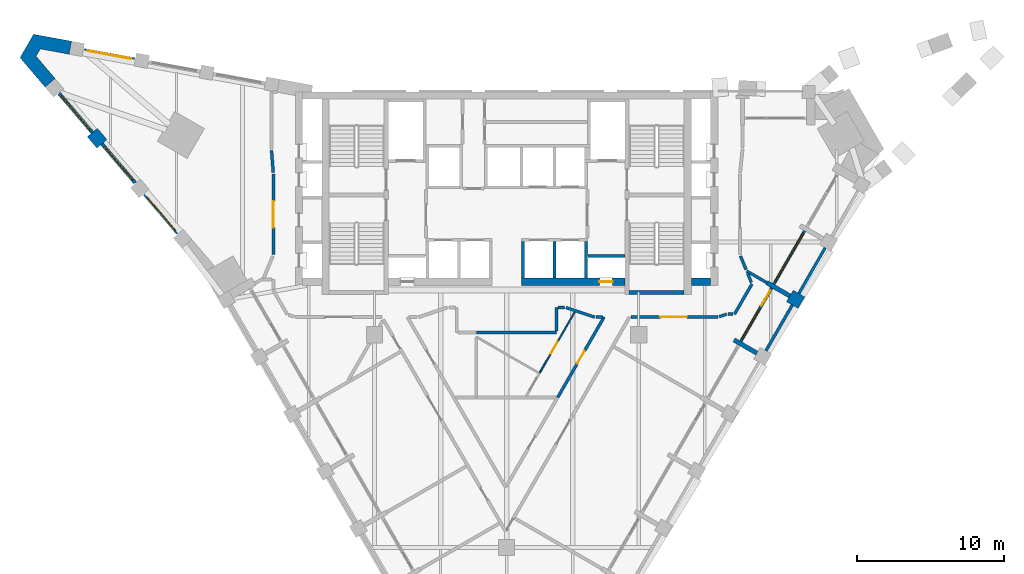
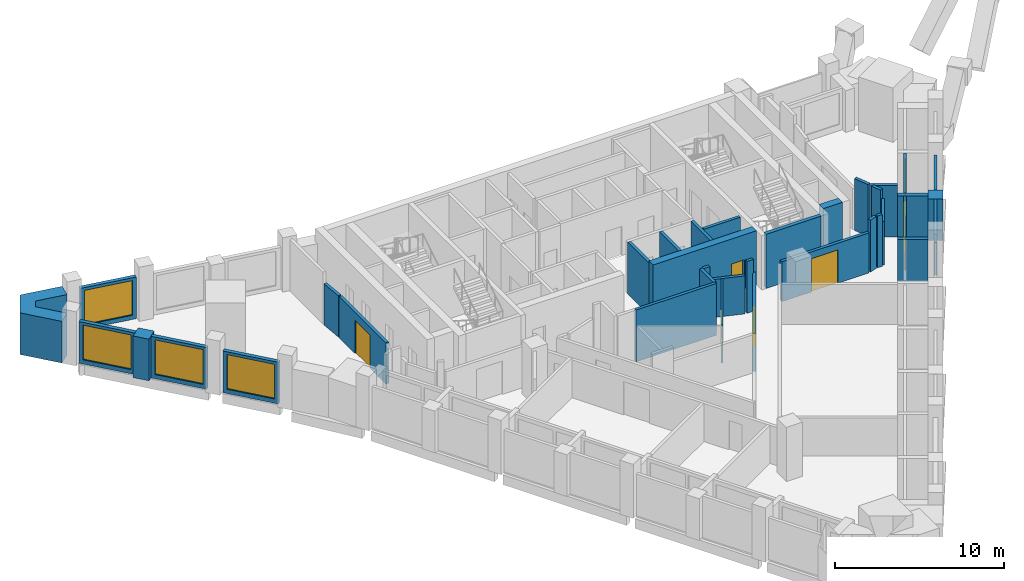
# One storey, part 5 of 9: 36 walls, 6 doors, 6 windows, 12 openings.
"""IFC4 building model written with IfcOpenShell, lengths in metres."""

import ifcopenshell
import ifcopenshell.guid

model = None  # the IFC model being written
_history = None  # IfcOwnerHistory: only IFC2X3 demands one
_inside = {}  # id of a spatial element -> (the spatial element, [elements in it])
_under = {}  # id of a project, library or spatial element -> (it, [spatial elements below it])
_declared = {}  # id of a project -> (the project, [libraries it declares])
_typed = {}  # id of a type object -> (the type object, [elements of that type])
_made_of = {}  # id of a material, layer set ... -> (it, [elements and type objects made of it])


def new_model(schema):
    """Start an empty IFC model of exactly this schema.

    Asked for "IFC4X3", IfcOpenShell would pick the latest addendum, in which some entities
    have other attributes; the version numbers below select the first issue.
    IFC2X3 requires an IfcOwnerHistory on every rooted entity: one is made here for all.
    """
    global model, _history
    if schema == "IFC4X3":
        model = ifcopenshell.file(schema_version=(4, 3, 0, 0))
    else:
        model = ifcopenshell.file(schema=schema)
    _inside.clear()
    _under.clear()
    _declared.clear()
    _typed.clear()
    _made_of.clear()
    _history = None
    if model.schema == "IFC2X3":
        org = make("IfcOrganization", Name="unknown")
        user = make(
            "IfcPersonAndOrganization",
            ThePerson=make("IfcPerson", FamilyName="unknown"),
            TheOrganization=org,
        )
        app = make(
            "IfcApplication",
            ApplicationDeveloper=org,
            Version="unknown",
            ApplicationFullName="unknown",
            ApplicationIdentifier="unknown",
        )
        _history = make(
            "IfcOwnerHistory",
            OwningUser=user,
            OwningApplication=app,
            ChangeAction="ADDED",
            CreationDate=0,
        )
    return model


def make(cls, **values):
    """One entity of the class cls with the attributes given. An attribute that is None is left unset."""
    return model.create_entity(
        cls, **{name: value for name, value in values.items() if value is not None}
    )


def rooted(cls, **values):
    """An entity with a GlobalId (a new one), such as an element, a storey or a relation."""
    return make(cls, GlobalId=ifcopenshell.guid.new(), OwnerHistory=_history, **values)


def si_unit(unit_type, name, prefix=None):
    """IfcSIUnit, for example si_unit("LENGTHUNIT", "METRE", prefix="MILLI")."""
    return make("IfcSIUnit", UnitType=unit_type, Prefix=prefix, Name=name)


def assignment(units):
    """IfcUnitAssignment: the units of a project."""
    return None if units is None else make("IfcUnitAssignment", Units=units)


def point(xyz):
    """IfcCartesianPoint."""
    return None if xyz is None else make("IfcCartesianPoint", Coordinates=xyz)


def direction(xyz):
    """IfcDirection."""
    return None if xyz is None else make("IfcDirection", DirectionRatios=xyz)


def frame(location, z_axis=None, x_axis=None):
    """IfcAxis2Placement3D, a coordinate frame: its origin and axes. An axis left out is left unset."""
    return make(
        "IfcAxis2Placement3D",
        Location=point(location),
        Axis=direction(z_axis),
        RefDirection=direction(x_axis),
    )


def frame_2d(location, x_axis=None):
    """IfcAxis2Placement2D, a coordinate frame in the plane: its origin and x axis."""
    return make(
        "IfcAxis2Placement2D", Location=point(location), RefDirection=direction(x_axis)
    )


def origin():
    """The frame at (0, 0, 0) with its axes left unset."""
    return frame((0.0, 0.0, 0.0))


def place(relative_to, where):
    """IfcLocalPlacement: puts the frame where relative to a parent placement (None: the world)."""
    return make(
        "IfcLocalPlacement", PlacementRelTo=relative_to, RelativePlacement=where
    )


def context(
    kind, dimensions, precision=None, world=None, true_north=None, identifier=None
):
    """IfcGeometricRepresentationContext, for example the 3D "Model" context."""
    return make(
        "IfcGeometricRepresentationContext",
        ContextIdentifier=identifier,
        ContextType=kind,
        CoordinateSpaceDimension=dimensions,
        Precision=precision,
        WorldCoordinateSystem=world,
        TrueNorth=true_north,
    )


def subcontext(parent, identifier, kind, view, scale=None):
    """IfcGeometricRepresentationSubContext, for example "Body" below "Model"."""
    return make(
        "IfcGeometricRepresentationSubContext",
        ContextIdentifier=identifier,
        ContextType=kind,
        ParentContext=parent,
        TargetScale=scale,
        TargetView=view,
    )


def project(units=None, contexts=None):
    """IfcProject with its units and contexts."""
    return rooted(
        "IfcProject",
        Name="project",
        RepresentationContexts=contexts,
        UnitsInContext=assignment(units),
    )


def spatial(cls, under=None, at=None, **own):
    """A site, building, storey or space (cls), placed at a placement, below another one or the project."""
    s = rooted(cls, ObjectPlacement=at, **own)
    if under is not None:
        _under.setdefault(under.id(), (under, []))[1].append(s)
    return s


def polyline(points):
    """IfcPolyline through the points."""
    return make("IfcPolyline", Points=[point(p) for p in points])


def profile(cls, at=None, kind="AREA", **sizes):
    """A parametric profile (cls). Its sizes go by their IFC names, for example OverallWidth=200.0."""
    return make(cls, ProfileType=kind, Position=at, **sizes)


def rectangle(**sizes):
    """IfcRectangleProfileDef."""
    return profile("IfcRectangleProfileDef", **sizes)


def outline(outer, holes=None, kind="AREA"):
    """IfcArbitraryClosedProfileDef: a profile drawn as a closed curve; with holes, ...WithVoids."""
    if holes is None:
        return make("IfcArbitraryClosedProfileDef", ProfileType=kind, OuterCurve=outer)
    return make(
        "IfcArbitraryProfileDefWithVoids",
        ProfileType=kind,
        OuterCurve=outer,
        InnerCurves=holes,
    )


def extrude(swept, where, along, depth):
    """IfcExtrudedAreaSolid: the profile swept, set in the frame where, extruded along a direction by depth."""
    return make(
        "IfcExtrudedAreaSolid",
        SweptArea=swept,
        Position=where,
        ExtrudedDirection=direction(along),
        Depth=depth,
    )


def shape(context_of_items, identifier, shape_type, items):
    """IfcShapeRepresentation: the items that make up one representation, for example the "Body"."""
    return make(
        "IfcShapeRepresentation",
        ContextOfItems=context_of_items,
        RepresentationIdentifier=identifier,
        RepresentationType=shape_type,
        Items=items,
    )


def material(Name=None, Category=None):
    """IfcMaterial."""
    return make("IfcMaterial", Name=Name, Category=Category)


def layer(
    of_material, thickness, ventilated=None, Name=None, Category=None, Priority=None
):
    """IfcMaterialLayer: one layer of a wall or slab, of a material (None: an air gap)."""
    return make(
        "IfcMaterialLayer",
        Material=of_material,
        LayerThickness=thickness,
        IsVentilated=ventilated,
        Name=Name,
        Category=Category,
        Priority=Priority,
    )


def layer_set(layers, Name=None):
    """IfcMaterialLayerSet."""
    return make("IfcMaterialLayerSet", MaterialLayers=layers, LayerSetName=Name)


def made_of(thing, what):
    """Note that an element or type object is made of a material, layer set ...; save() writes the relation."""
    if what is not None:
        _made_of.setdefault(what.id(), (what, []))[1].append(thing)
    return thing


def type_object(cls, material=None, **own):
    """A type object (cls), such as IfcWallType, which elements share."""
    return made_of(rooted(cls, **own), material)


def element(
    cls,
    number,
    at=None,
    inside=None,
    cuts=None,
    type_object=None,
    material=None,
    context=None,
    identifier="Body",
    shape_type=None,
    held_by="IfcProductDefinitionShape",
    body=None,
    shapes=None,
    **own,
):
    """One element of the class cls, such as IfcWall. Its Tag is "e" and its number.

    at: its placement. inside: the storey or other place that contains it. cuts: it is an
    opening in that element (IfcRelVoidsElement). A single representation is given by context,
    identifier, shape_type and body (its items); several are given by shapes. held_by: the class
    of the entity that holds the representations. save() writes the other relations.
    """
    e = rooted(cls, Tag="e%d" % number, ObjectPlacement=at, **own)
    if body is not None:
        shapes = [shape(context, identifier, shape_type, body)]
    if shapes is not None:
        e.Representation = make(held_by, Representations=shapes)
    if inside is not None:
        _inside.setdefault(inside.id(), (inside, []))[1].append(e)
    if cuts is not None:
        rooted(
            "IfcRelVoidsElement", RelatingBuildingElement=cuts, RelatedOpeningElement=e
        )
    if type_object is not None:
        _typed.setdefault(type_object.id(), (type_object, []))[1].append(e)
    return made_of(e, material)


def fill(opening, filler):
    """IfcRelFillsElement: the door or window that sits in an opening."""
    return rooted(
        "IfcRelFillsElement",
        RelatingOpeningElement=opening,
        RelatedBuildingElement=filler,
    )


def aggregate(whole, parts):
    """IfcRelAggregates: a whole, such as a stair, and the parts it consists of."""
    return rooted("IfcRelAggregates", RelatingObject=whole, RelatedObjects=parts)


def save(model, path):
    """Write the relations noted so far, then the file.

    IfcRelAggregates (storeys below a building ...), IfcRelContainedInSpatialStructure (elements
    in a storey), IfcRelDefinesByType, IfcRelAssociatesMaterial and IfcRelDeclares: one each for
    every whole, place, type object, material and project.
    """
    for whole, parts in _under.values():
        aggregate(whole, parts)
    for where, things in _inside.values():
        rooted(
            "IfcRelContainedInSpatialStructure",
            RelatedElements=things,
            RelatingStructure=where,
        )
    for kind, things in _typed.values():
        rooted("IfcRelDefinesByType", RelatedObjects=things, RelatingType=kind)
    for what, things in _made_of.values():
        rooted("IfcRelAssociatesMaterial", RelatedObjects=things, RelatingMaterial=what)
    for by, libraries in _declared.values():
        rooted("IfcRelDeclares", RelatingContext=by, RelatedDefinitions=libraries)
    model.write(path)


model = new_model("IFC4")

# Units and contexts
model_context = context("Model", 3, precision=1e-05, world=origin(), true_north=direction((0.0, 1.0)))
body_context = subcontext(model_context, "Body", "Model", "MODEL_VIEW")
ifc_project = project(units=[si_unit("LENGTHUNIT", "METRE"), si_unit("AREAUNIT", "SQUARE_METRE"), si_unit("VOLUMEUNIT", "CUBIC_METRE"), si_unit("PLANEANGLEUNIT", "RADIAN"), si_unit("MASSUNIT", "GRAM", prefix="KILO")], contexts=[model_context])

# Site, building, storey
site_placement = place(None, origin())
site = spatial("IfcSite", under=ifc_project, at=site_placement, CompositionType="ELEMENT")
building_placement = place(site_placement, origin())
building = spatial("IfcBuilding", under=site, at=building_placement, Name="Calabash Gate Tower", CompositionType="ELEMENT")
storey_placement = place(building_placement, frame((0.0, 0.0, 239.300048828125)))
storey = spatial("IfcBuildingStorey", under=building, at=storey_placement, Name="L57", CompositionType="ELEMENT", Elevation=239.300048828125)

# Walls
ifc_material_1 = material(Name="Terracotta brick masonry, exposed face", Category="masonry")
ifc_layer_1 = layer(ifc_material_1, 0.89990234375)
ifc_layer_set_1 = layer_set([ifc_layer_1], Name="Brick end wall 900")
wall_type_1 = type_object("IfcWallType", Name="Brick end wall 900", PredefinedType="SOLIDWALL", material=ifc_layer_set_1)
wall_1_placement = place(storey_placement, frame((19.306396484375, 5.14013671875, 0.0), z_axis=(0.0, 0.0, 1.0), x_axis=(0.865896406789, -0.500223362819, 0.0)))
element("IfcWall", 1, at=wall_1_placement, inside=storey, type_object=wall_type_1, Name="Brick pier S16 SE2.7", PredefinedType="SOLIDWALL", context=body_context, shape_type="SweptSolid", body=[
    extrude(rectangle(XDim=0.89990234375, YDim=0.89990234375, at=frame_2d((0.449951171875, 0.0))), origin(), (0.0, 0.0, 1.0), 3.0),
])
wall_2_placement = place(storey_placement, frame((-27.587890625, 15.511474609375, 0.0), z_axis=(0.0, 0.0, 1.0), x_axis=(-0.647641360564, 0.761945318305, 0.0)))
element("IfcWall", 2, at=wall_2_placement, inside=storey, type_object=wall_type_1, Name="Brick pier S16 wedge7.1", PredefinedType="SOLIDWALL", context=body_context, shape_type="SweptSolid", body=[
    extrude(rectangle(XDim=1.00390625, YDim=0.89990234375, at=frame_2d((0.501953125, 0.0))), origin(), (0.0, 0.0, 1.0), 3.0),
])
wall_3_placement = place(storey_placement, origin())
element("IfcWall", 3, at=wall_3_placement, inside=storey, type_object=wall_type_1, Name="Brick end wall S16 2", PredefinedType="SOLIDWALL", context=body_context, shape_type="SweptSolid", body=[
    extrude(outline(polyline([(-31.784423828125, 21.978759765625), (-29.816650390625, 21.618896484375), (-29.654541015625, 22.504150390625), (-32.24658203125, 22.978271484375), (-33.168701171875, 21.38134765625), (-31.4619140625, 19.373779296875), (-30.776123046875, 19.956787109375), (-32.072021484375, 21.48095703125), (-31.784423828125, 21.978759765625)])), origin(), (0.0, 0.0, 1.0), 3.0),
])
ifc_material_2 = material(Name="Terracotta brick masonry, exposed face", Category="masonry")
ifc_layer_2 = layer(ifc_material_2, 0.300048828125)
ifc_layer_set_2 = layer_set([ifc_layer_2], Name="Brick loggia cheek wall 300")
wall_type_2 = type_object("IfcWallType", Name="Brick loggia cheek wall 300", PredefinedType="SOLIDWALL", material=ifc_layer_set_2)
wall_4_placement = place(storey_placement, frame((17.05615234375, 1.242919921875, 0.0), z_axis=(0.0, 0.0, 1.0), x_axis=(-0.866013897511, 0.50001992892, 0.0)))
element("IfcWall", 4, at=wall_4_placement, inside=storey, type_object=wall_type_2, Name="Loggia cheek S16 SE2.6", PredefinedType="SOLIDWALL", context=body_context, shape_type="SweptSolid", body=[
    extrude(rectangle(XDim=1.7998046875, YDim=0.300048828125, at=frame_2d((0.89990234375, 0.0))), origin(), (0.0, 0.0, 1.0), 3.0),
])
wall_5_placement = place(storey_placement, frame((19.306396484375, 5.14013671875, 0.0), z_axis=(0.0, 0.0, 1.0), x_axis=(-0.866047807691, 0.499961193289, 0.0)))
element("IfcWall", 5, at=wall_5_placement, inside=storey, type_object=wall_type_2, Name="Loggia cheek S16 SE2.7", PredefinedType="SOLIDWALL", context=body_context, shape_type="SweptSolid", body=[
    extrude(rectangle(XDim=1.800048828125, YDim=0.300048828125, at=frame_2d((0.89990234375, 0.0))), origin(), (0.0, 0.0, 1.0), 3.0),
])
ifc_material_3 = material(Name="Concrete C70/85", Category="concrete")
ifc_layer_3 = layer(ifc_material_3, 0.25)
ifc_layer_set_3 = layer_set([ifc_layer_3], Name="Core wall 250 Concrete C70/85")
wall_type_3 = type_object("IfcWallType", Name="Core wall 250 Concrete C70/85", PredefinedType="SHEAR", material=ifc_layer_set_3)
wall_6_placement = place(storey_placement, frame((8.35009765625, 5.377685546875, 0.0), z_axis=(0.0, 0.0, 1.0), x_axis=(1.0, 0.0, 0.0)))
element("IfcWall", 6, at=wall_6_placement, inside=storey, type_object=wall_type_3, Name="Core wall Z4-SSE L57", PredefinedType="SHEAR", context=body_context, shape_type="SweptSolid", body=[
    extrude(rectangle(XDim=3.75, YDim=0.25, at=frame_2d((1.875, 0.0))), origin(), (0.0, 0.0, 1.0), 3.89990234375),
])

# Wall, opening, door
ifc_material_4 = material(Name="Concrete C70/85", Category="concrete")
ifc_layer_4 = layer(ifc_material_4, 0.5)
ifc_layer_set_4 = layer_set([ifc_layer_4], Name="Core wall 500 Concrete C70/85")
wall_type_4 = type_object("IfcWallType", Name="Core wall 500 Concrete C70/85", PredefinedType="SHEAR", material=ifc_layer_set_4)
wall_7_placement = place(storey_placement, frame((1.0, 6.1025390625, 0.0), z_axis=(0.0, 0.0, 1.0), x_axis=(1.0, 0.0, 0.0)))
wall_7 = element("IfcWall", 7, at=wall_7_placement, inside=storey, type_object=wall_type_4, Name="Core wall Z4-SB L57", PredefinedType="SHEAR", context=body_context, shape_type="SweptSolid", body=[
    extrude(rectangle(XDim=7.050048828125, YDim=0.5, at=frame_2d((3.52490234375, 0.0))), origin(), (0.0, 0.0, 1.0), 3.89990234375),
])
opening_1_placement = place(wall_7_placement, frame((5.324951171875, 0.0, 0.0)))
opening_1 = element("IfcOpeningElement", 8, at=opening_1_placement, cuts=wall_7, Name="Opening O8-015", PredefinedType="OPENING", context=body_context, shape_type="SweptSolid", body=[
    extrude(rectangle(XDim=0.89990234375, YDim=2.10009765625, at=frame_2d((0.449951171875, 1.050048828125))), frame((0.0, 0.260009765625, 0.0), z_axis=(0.0, -1.0, 0.0), x_axis=(1.0, 0.0, 0.0)), (0.0, 0.0, 1.0), 0.52001953125),
])
ifc_material_5 = material(Name="Steel fire door set with fire-resisting glazing", Category="steel")
door_type_1 = type_object("IfcDoorType", Name="Fire door D07 900x2100 FD90", OperationType="NOTDEFINED", PredefinedType="DOOR", material=ifc_material_5)
door_1_placement = place(opening_1_placement, origin())
door_1 = element("IfcDoor", 9, at=door_1_placement, inside=storey, type_object=door_type_1, Name="Mechanical Riser E door", OperationType="SINGLE_SWING_RIGHT", OverallHeight=2.10009765625, OverallWidth=0.89990234375, PredefinedType="DOOR", context=body_context, shape_type="SweptSolid", body=[
    extrude(rectangle(XDim=0.89990234375, YDim=2.10009765625, at=frame_2d((0.449951171875, 1.050048828125))), frame((0.0, 0.02490234375, 0.0), z_axis=(0.0, -1.0, 0.0), x_axis=(1.0, 0.0, 0.0)), (0.0, 0.0, 1.0), 0.050048828125),
])
fill(opening_1, door_1)

# Wall
wall_8_placement = place(storey_placement, frame((12.60009765625, 6.1025390625, 0.0), z_axis=(0.0, 0.0, 1.0), x_axis=(1.0, 0.0, 0.0)))
element("IfcWall", 10, at=wall_8_placement, inside=storey, type_object=wall_type_4, Name="Core wall Z4-SE L57", PredefinedType="SHEAR", context=body_context, shape_type="SweptSolid", body=[
    extrude(rectangle(XDim=1.2998046875, YDim=0.5, at=frame_2d((0.64990234375, 0.0))), origin(), (0.0, 0.0, 1.0), 3.89990234375),
])

# Wall, opening, door
ifc_material_6 = material(Name="Gypsum board on steel studs, mineral wool", Category="steel")
ifc_layer_5 = layer(ifc_material_6, 0.10009765625)
ifc_layer_set_5 = layer_set([ifc_layer_5], Name="Partition 100 gypsum board")
wall_type_5 = type_object("IfcWallType", Name="Partition 100 gypsum board", PredefinedType="PARTITIONING", material=ifc_layer_set_5)
wall_9_placement = place(storey_placement, frame((2.25830078125, -0.08740234375, 0.0), z_axis=(0.0, 0.0, 1.0), x_axis=(0.499684056676, 0.866207736922, 0.0)))
wall_9 = element("IfcWall", 11, at=wall_9_placement, inside=storey, type_object=wall_type_5, Name="Partition", PredefinedType="PARTITIONING", context=body_context, shape_type="SweptSolid", body=[
    extrude(rectangle(XDim=4.7705078125, YDim=0.10009765625, at=frame_2d((2.38525390625, 0.0))), origin(), (0.0, 0.0, 1.0), 2.74169921875),
])
opening_2_placement = place(wall_9_placement, frame((1.5126953125, 0.0, 0.0)))
opening_2 = element("IfcOpeningElement", 12, at=opening_2_placement, cuts=wall_9, Name="Opening 55-57-014", PredefinedType="OPENING", context=body_context, shape_type="SweptSolid", body=[
    extrude(rectangle(XDim=0.89990234375, YDim=2.10009765625, at=frame_2d((0.449951171875, 1.050048828125))), frame((0.0, 0.06005859375, 0.0), z_axis=(0.0, -1.0, 0.0), x_axis=(1.0, 0.0, 0.0)), (0.0, 0.0, 1.0), 0.1201171875),
])
ifc_material_7 = material(Name="Painted timber door", Category="wood")
door_type_2 = type_object("IfcDoorType", Name="WD1 WC door 900x2100", OperationType="NOTDEFINED", PredefinedType="DOOR", material=ifc_material_7)
door_2_placement = place(opening_2_placement, origin())
door_2 = element("IfcDoor", 13, at=door_2_placement, inside=storey, type_object=door_type_2, Name="WC door", OperationType="SINGLE_SWING_LEFT", OverallHeight=2.10009765625, OverallWidth=0.89990234375, PredefinedType="DOOR", context=body_context, shape_type="SweptSolid", body=[
    extrude(rectangle(XDim=0.89990234375, YDim=2.10009765625, at=frame_2d((0.449951171875, 1.050048828125))), frame((0.0, 0.02490234375, 0.0), z_axis=(0.0, -1.0, 0.0), x_axis=(1.0, 0.0, 0.0)), (0.0, 0.0, 1.0), 0.050048828125),
])
fill(opening_2, door_2)

ifc_material_8 = material(Name="Gypsum board on steel studs, mineral wool", Category="steel")
ifc_layer_6 = layer(ifc_material_8, 0.199951171875)
ifc_layer_set_6 = layer_set([ifc_layer_6], Name="Partition 200 gypsum board EI 60")
wall_type_6 = type_object("IfcWallType", Name="Partition 200 gypsum board EI 60", PredefinedType="PARTITIONING", material=ifc_layer_set_6)
wall_10_placement = place(storey_placement, frame((3.476318359375, -1.77783203125, 0.0), z_axis=(0.0, 0.0, 1.0), x_axis=(0.500016482634, 0.866015887322, 0.0)))
wall_10 = element("IfcWall", 14, at=wall_10_placement, inside=storey, type_object=wall_type_6, Name="Partition", PredefinedType="PARTITIONING", context=body_context, shape_type="SweptSolid", body=[
    extrude(rectangle(XDim=6.324951171875, YDim=0.199951171875, at=frame_2d((3.16259765625, 0.0))), origin(), (0.0, 0.0, 1.0), 2.74169921875),
])
opening_3_placement = place(wall_10_placement, frame((2.66259765625, 0.0, 0.0)))
opening_3 = element("IfcOpeningElement", 15, at=opening_3_placement, cuts=wall_10, Name="Opening 55-57-012", PredefinedType="OPENING", context=body_context, shape_type="SweptSolid", body=[
    extrude(rectangle(XDim=1.0, YDim=2.10009765625, at=frame_2d((0.5, 1.050048828125))), frame((0.0, 0.10986328125, 0.0), z_axis=(0.0, -1.0, 0.0), x_axis=(1.0, 0.0, 0.0)), (0.0, 0.0, 1.0), 0.219970703125),
])
ifc_material_9 = material(Name="Steel fire door set with fire-resisting glazing", Category="steel")
door_type_3 = type_object("IfcDoorType", Name="WD3 WC lobby door 1000x2100", OperationType="NOTDEFINED", PredefinedType="DOOR", material=ifc_material_9)
door_3_placement = place(opening_3_placement, origin())
door_3 = element("IfcDoor", 16, at=door_3_placement, inside=storey, type_object=door_type_3, Name="WC lobby door", OperationType="SINGLE_SWING_LEFT", OverallHeight=2.10009765625, OverallWidth=1.0, PredefinedType="DOOR", context=body_context, shape_type="SweptSolid", body=[
    extrude(rectangle(XDim=1.0, YDim=2.10009765625, at=frame_2d((0.5, 1.050048828125))), frame((0.0, 0.02490234375, 0.0), z_axis=(0.0, -1.0, 0.0), x_axis=(1.0, 0.0, 0.0)), (0.0, 0.0, 1.0), 0.050048828125),
])
fill(opening_3, door_3)

# Walls
wall_11_placement = place(storey_placement, frame((-2.0712890625, 2.650634765625, 0.0), z_axis=(0.0, 0.0, 1.0), x_axis=(0.99999995122, 0.0003123466, 0.0)))
element("IfcWall", 17, at=wall_11_placement, inside=storey, type_object=wall_type_6, Name="Partition", PredefinedType="PARTITIONING", context=body_context, shape_type="SweptSolid", body=[
    extrude(rectangle(XDim=5.471435546875, YDim=0.199951171875, at=frame_2d((2.73583984375, 0.0))), origin(), (0.0, 0.0, 1.0), 3.72998046875),
])
wall_12_placement = place(storey_placement, frame((4.04150390625, 4.349853515625, 0.0), z_axis=(0.0, 0.0, 1.0), x_axis=(0.949072993984, -0.315056268135, 0.0)))
element("IfcWall", 18, at=wall_12_placement, inside=storey, type_object=wall_type_6, Name="Partition", PredefinedType="PARTITIONING", context=body_context, shape_type="SweptSolid", body=[
    extrude(rectangle(XDim=2.0634765625, YDim=0.199951171875, at=frame_2d((1.03173828125, 0.0))), origin(), (0.0, 0.0, 1.0), 2.74169921875),
])
wall_13_placement = place(storey_placement, frame((6.10009765625, 3.69970703125, 0.0), z_axis=(0.0, 0.0, 1.0), x_axis=(1.0, 0.0, 0.0)))
element("IfcWall", 19, at=wall_13_placement, inside=storey, type_object=wall_type_6, Name="Partition", PredefinedType="PARTITIONING", context=body_context, shape_type="SweptSolid", body=[
    extrude(rectangle(XDim=0.438720703125, YDim=0.199951171875, at=frame_2d((0.21923828125, 0.0))), origin(), (0.0, 0.0, 1.0), 3.72998046875),
])

# Wall, opening, door
wall_14_placement = place(storey_placement, frame((8.4716796875, 3.699462890625, 0.0), z_axis=(0.0, 0.0, 1.0), x_axis=(1.0, 0.0, 0.0)))
wall_14 = element("IfcWall", 20, at=wall_14_placement, inside=storey, type_object=wall_type_6, Name="Partition", PredefinedType="PARTITIONING", context=body_context, shape_type="SweptSolid", body=[
    extrude(rectangle(XDim=5.92822265625, YDim=0.199951171875, at=frame_2d((2.964111328125, 0.0))), origin(), (0.0, 0.0, 1.0), 2.884033203125),
])
opening_4_placement = place(wall_14_placement, frame((2.01416015625, 0.0, 0.0)))
opening_4 = element("IfcOpeningElement", 21, at=opening_4_placement, cuts=wall_14, Name="Opening 55-57-010", PredefinedType="OPENING", context=body_context, shape_type="SweptSolid", body=[
    extrude(rectangle(XDim=1.800048828125, YDim=2.39990234375, at=frame_2d((0.89990234375, 1.199951171875))), frame((0.0, 0.10986328125, 0.0), z_axis=(0.0, -1.0, 0.0), x_axis=(1.0, 0.0, 0.0)), (0.0, 0.0, 1.0), 0.219970703125),
])
ifc_material_10 = material(Name="Steel fire door set with fire-resisting glazing", Category="steel")
door_type_4 = type_object("IfcDoorType", Name="TD1 Tenancy entrance double door 1800x2400", OperationType="NOTDEFINED", PredefinedType="DOOR", material=ifc_material_10)
door_4_placement = place(opening_4_placement, origin())
door_4 = element("IfcDoor", 22, at=door_4_placement, inside=storey, type_object=door_type_4, Name="Tenancy entrance double door", OperationType="DOUBLE_DOOR_SINGLE_SWING", OverallHeight=2.39990234375, OverallWidth=1.800048828125, PredefinedType="DOOR", context=body_context, shape_type="SweptSolid", body=[
    extrude(rectangle(XDim=1.800048828125, YDim=2.39990234375, at=frame_2d((0.89990234375, 1.199951171875))), frame((0.0, 0.02490234375, 0.0), z_axis=(0.0, -1.0, 0.0), x_axis=(1.0, 0.0, 0.0)), (0.0, 0.0, 1.0), 0.050048828125),
])
fill(opening_4, door_4)

# Walls
wall_15_placement = place(storey_placement, frame((14.494873046875, 3.731201171875, 0.0), z_axis=(0.0, 0.0, 1.0), x_axis=(0.948774971537, 0.315952612561, 0.0)))
element("IfcWall", 23, at=wall_15_placement, inside=storey, type_object=wall_type_6, Name="Partition", PredefinedType="PARTITIONING", context=body_context, shape_type="SweptSolid", body=[
    extrude(rectangle(XDim=0.532470703125, YDim=0.199951171875, at=frame_2d((0.26611328125, 0.0))), origin(), (0.0, 0.0, 1.0), 3.72998046875),
])
wall_16_placement = place(storey_placement, frame((15.10009765625, 3.8994140625, 0.0), z_axis=(0.0, 0.0, 1.0), x_axis=(0.99999972727, 0.000738552236, 0.0)))
element("IfcWall", 24, at=wall_16_placement, inside=storey, type_object=wall_type_6, Name="Partition", PredefinedType="PARTITIONING", context=body_context, shape_type="SweptSolid", body=[
    extrude(rectangle(XDim=0.33056640625, YDim=0.199951171875, at=frame_2d((0.165283203125, 0.0))), origin(), (0.0, 0.0, 1.0), 3.72998046875),
])
wall_17_placement = place(storey_placement, frame((15.530517578125, 3.899658203125, 0.0), z_axis=(0.0, 0.0, 1.0), x_axis=(0.500122053881, 0.865954924474, 0.0)))
element("IfcWall", 25, at=wall_17_placement, inside=storey, type_object=wall_type_6, Name="Partition", PredefinedType="PARTITIONING", context=body_context, shape_type="SweptSolid", body=[
    extrude(rectangle(XDim=2.3798828125, YDim=0.199951171875, at=frame_2d((1.18994140625, 0.0))), origin(), (0.0, 0.0, 1.0), 3.1279296875),
])
wall_18_placement = place(storey_placement, frame((3.400146484375, 2.75244140625, 0.0), z_axis=(0.0, 0.0, 1.0), x_axis=(0.001222119466, 0.999999253212, 0.0)))
element("IfcWall", 26, at=wall_18_placement, inside=storey, type_object=wall_type_6, Name="Partition", PredefinedType="PARTITIONING", context=body_context, shape_type="SweptSolid", body=[
    extrude(rectangle(XDim=1.59814453125, YDim=0.199951171875, at=frame_2d((0.799072265625, 0.0))), origin(), (0.0, 0.0, 1.0), 3.72998046875),
])
wall_19_placement = place(storey_placement, frame((3.501953125, 4.350830078125, 0.0), z_axis=(0.0, 0.0, 1.0), x_axis=(0.999996159087, 0.00277160798, 0.0)))
element("IfcWall", 27, at=wall_19_placement, inside=storey, type_object=wall_type_6, Name="Partition", PredefinedType="PARTITIONING", context=body_context, shape_type="SweptSolid", body=[
    extrude(rectangle(XDim=0.4404296875, YDim=0.199951171875, at=frame_2d((0.22021484375, 0.0))), origin(), (0.0, 0.0, 1.0), 3.72998046875),
])
wall_20_placement = place(storey_placement, frame((16.4228515625, 6.687255859375, 0.0), z_axis=(0.0, 0.0, 1.0), x_axis=(0.37899342687, -0.925399363729, 0.0)))
element("IfcWall", 28, at=wall_20_placement, inside=storey, type_object=wall_type_6, Name="Partition", PredefinedType="PARTITIONING", context=body_context, shape_type="SweptSolid", body=[
    extrude(rectangle(XDim=0.685302734375, YDim=0.199951171875, at=frame_2d((0.3427734375, 0.0))), origin(), (0.0, 0.0, 1.0), 3.72998046875),
])
wall_21_placement = place(storey_placement, frame((16.35888671875, 6.83935546875, 0.0), z_axis=(0.0, 0.0, 1.0), x_axis=(0.866578526371, -0.499040737448, 0.0)))
element("IfcWall", 29, at=wall_21_placement, inside=storey, type_object=wall_type_6, Name="Partition", PredefinedType="PARTITIONING", context=body_context, shape_type="SweptSolid", body=[
    extrude(rectangle(XDim=1.602294921875, YDim=0.199951171875, at=frame_2d((0.80126953125, 0.0))), origin(), (0.0, 0.0, 1.0), 3.72998046875),
])
wall_22_placement = place(storey_placement, frame((15.938720703125, 7.860107421875, 0.0), z_axis=(0.0, 0.0, 1.0), x_axis=(0.38186417336, -0.924218455293, 0.0)))
element("IfcWall", 30, at=wall_22_placement, inside=storey, type_object=wall_type_6, Name="Partition", PredefinedType="PARTITIONING", context=body_context, shape_type="SweptSolid", body=[
    extrude(rectangle(XDim=1.00244140625, YDim=0.199951171875, at=frame_2d((0.501220703125, 0.0))), origin(), (0.0, 0.0, 1.0), 3.72998046875),
])

# Wall, opening, door
wall_23_placement = place(storey_placement, frame((-15.900390625, 7.95263671875, 0.0), z_axis=(0.0, 0.0, 1.0), x_axis=(0.0, 1.0, 0.0)))
wall_23 = element("IfcWall", 31, at=wall_23_placement, inside=storey, type_object=wall_type_6, Name="Partition", PredefinedType="PARTITIONING", context=body_context, shape_type="SweptSolid", body=[
    extrude(rectangle(XDim=5.499755859375, YDim=0.199951171875, at=frame_2d((2.75, 0.0))), origin(), (0.0, 0.0, 1.0), 2.973388671875),
])
opening_5_placement = place(wall_23_placement, frame((1.849853515625, 0.0, 0.0)))
opening_5 = element("IfcOpeningElement", 32, at=opening_5_placement, cuts=wall_23, Name="Opening 55-57-006", PredefinedType="OPENING", context=body_context, shape_type="SweptSolid", body=[
    extrude(rectangle(XDim=1.800048828125, YDim=2.39990234375, at=frame_2d((0.89990234375, 1.199951171875))), frame((0.0, 0.10986328125, 0.0), z_axis=(0.0, -1.0, 0.0), x_axis=(1.0, 0.0, 0.0)), (0.0, 0.0, 1.0), 0.219970703125),
])
door_5_placement = place(opening_5_placement, origin())
door_5 = element("IfcDoor", 33, at=door_5_placement, inside=storey, type_object=door_type_4, Name="Tenancy entrance double door", OperationType="DOUBLE_DOOR_SINGLE_SWING", OverallHeight=2.39990234375, OverallWidth=1.800048828125, PredefinedType="DOOR", context=body_context, shape_type="SweptSolid", body=[
    extrude(rectangle(XDim=1.800048828125, YDim=2.39990234375, at=frame_2d((0.89990234375, 1.199951171875))), frame((0.0, 0.02490234375, 0.0), z_axis=(0.0, -1.0, 0.0), x_axis=(1.0, 0.0, 0.0)), (0.0, 0.0, 1.0), 0.050048828125),
])
fill(opening_5, door_5)

# Wall
wall_24_placement = place(storey_placement, frame((-16.024169921875, 15.052978515625, 0.0), z_axis=(0.0, 0.0, 1.0), x_axis=(0.07704378759, -0.997027710143, 0.0)))
element("IfcWall", 34, at=wall_24_placement, inside=storey, type_object=wall_type_6, Name="Partition", PredefinedType="PARTITIONING", context=body_context, shape_type="SweptSolid", body=[
    extrude(rectangle(XDim=1.505126953125, YDim=0.199951171875, at=frame_2d((0.75244140625, 0.0))), origin(), (0.0, 0.0, 1.0), 2.973388671875),
])

# Wall, opening, window
ifc_material_11 = material(Name="Aluminium framed window wall with insulated spandrel", Category="aluminium")
ifc_layer_7 = layer(ifc_material_11, 0.25)
ifc_layer_set_7 = layer_set([ifc_layer_7], Name="Prow window wall 250")
wall_type_7 = type_object("IfcWallType", Name="Prow window wall 250", PredefinedType="ELEMENTEDWALL", material=ifc_layer_set_7)
wall_25_placement = place(storey_placement, frame((-25.3583984375, 21.260498046875, 0.0), z_axis=(0.0, 0.0, 1.0), x_axis=(-0.983672889292, 0.179965682483, 0.0)))
wall_25 = element("IfcWall", 35, at=wall_25_placement, inside=storey, type_object=wall_type_7, Name="Prow window wall S16 wedge5.3", PredefinedType="ELEMENTEDWALL", context=body_context, shape_type="SweptSolid", body=[
    extrude(rectangle(XDim=3.5, YDim=0.25, at=frame_2d((1.75, 0.0))), origin(), (0.0, 0.0, 1.0), 3.0),
])
opening_6_placement = place(wall_25_placement, frame((0.25, 0.0, 0.300048828125)))
opening_6 = element("IfcOpeningElement", 36, at=opening_6_placement, cuts=wall_25, Name="Opening WP2", PredefinedType="OPENING", context=body_context, shape_type="SweptSolid", body=[
    extrude(rectangle(XDim=3.0, YDim=2.5, at=frame_2d((1.5, 1.25))), frame((0.0, 0.135009765625, 0.0), z_axis=(0.0, -1.0, 0.0), x_axis=(1.0, 0.0, 0.0)), (0.0, 0.0, 1.0), 0.27001953125),
])
ifc_material_12 = material(Name="Anodised aluminium frame, bronze finish, impact-rated laminated clear glazing", Category="aluminium")
window_type_1 = type_object("IfcWindowType", Name="Window WP2 3000x2500", PartitioningType="DOUBLE_PANEL_VERTICAL", PredefinedType="WINDOW", material=ifc_material_12)
window_1_placement = place(opening_6_placement, origin())
window_1 = element("IfcWindow", 37, at=window_1_placement, inside=storey, type_object=window_type_1, Name="Prow window WP2 S16 wedge5.3", OverallHeight=2.5, OverallWidth=3.0, PartitioningType="SINGLE_PANEL", PredefinedType="WINDOW", context=body_context, shape_type="SweptSolid", body=[
    extrude(rectangle(XDim=3.0, YDim=2.5, at=frame_2d((1.5, 1.25))), frame((0.0, 0.030029296875, 0.0), z_axis=(0.0, -1.0, 0.0), x_axis=(1.0, 0.0, 0.0)), (0.0, 0.0, 1.0), 0.06005859375),
])
fill(opening_6, window_1)

wall_26_placement = place(storey_placement, frame((-30.503662109375, 18.94140625, 0.0), z_axis=(0.0, 0.0, 1.0), x_axis=(0.647701065937, -0.761894565661, 0.0)))
wall_26 = element("IfcWall", 38, at=wall_26_placement, inside=storey, type_object=wall_type_7, Name="Prow window wall S16 wedge7.1", PredefinedType="ELEMENTEDWALL", context=body_context, shape_type="SweptSolid", body=[
    extrude(rectangle(XDim=3.499755859375, YDim=0.25, at=frame_2d((1.75, 0.0))), origin(), (0.0, 0.0, 1.0), 3.0),
])
opening_7_placement = place(wall_26_placement, frame((0.25, 0.0, 0.300048828125)))
opening_7 = element("IfcOpeningElement", 39, at=opening_7_placement, cuts=wall_26, Name="Opening WP2", PredefinedType="OPENING", context=body_context, shape_type="SweptSolid", body=[
    extrude(rectangle(XDim=3.0, YDim=2.5, at=frame_2d((1.5, 1.25))), frame((0.0, 0.135009765625, 0.0), z_axis=(0.0, -1.0, 0.0), x_axis=(1.0, 0.0, 0.0)), (0.0, 0.0, 1.0), 0.27001953125),
])
window_2_placement = place(opening_7_placement, origin())
window_2 = element("IfcWindow", 40, at=window_2_placement, inside=storey, type_object=window_type_1, Name="Prow window WP2 S16 wedge7.1", OverallHeight=2.5, OverallWidth=3.0, PartitioningType="SINGLE_PANEL", PredefinedType="WINDOW", context=body_context, shape_type="SweptSolid", body=[
    extrude(rectangle(XDim=3.0, YDim=2.5, at=frame_2d((1.5, 1.25))), frame((0.0, 0.030029296875, 0.0), z_axis=(0.0, -1.0, 0.0), x_axis=(1.0, 0.0, 0.0)), (0.0, 0.0, 1.0), 0.06005859375),
])
fill(opening_7, window_2)

wall_27_placement = place(storey_placement, frame((-27.589111328125, 15.512939453125, 0.0), z_axis=(0.0, 0.0, 1.0), x_axis=(0.647741556426, -0.761860142073, 0.0)))
wall_27 = element("IfcWall", 41, at=wall_27_placement, inside=storey, type_object=wall_type_7, Name="Prow window wall S16 wedge7.2", PredefinedType="ELEMENTEDWALL", context=body_context, shape_type="SweptSolid", body=[
    extrude(rectangle(XDim=3.5, YDim=0.25, at=frame_2d((1.75, 0.0))), origin(), (0.0, 0.0, 1.0), 3.0),
])
opening_8_placement = place(wall_27_placement, frame((0.25, 0.0, 0.300048828125)))
opening_8 = element("IfcOpeningElement", 42, at=opening_8_placement, cuts=wall_27, Name="Opening WP2", PredefinedType="OPENING", context=body_context, shape_type="SweptSolid", body=[
    extrude(rectangle(XDim=3.0, YDim=2.5, at=frame_2d((1.5, 1.25))), frame((0.0, 0.135009765625, 0.0), z_axis=(0.0, -1.0, 0.0), x_axis=(1.0, 0.0, 0.0)), (0.0, 0.0, 1.0), 0.27001953125),
])
window_3_placement = place(opening_8_placement, origin())
window_3 = element("IfcWindow", 43, at=window_3_placement, inside=storey, type_object=window_type_1, Name="Prow window WP2 S16 wedge7.2", OverallHeight=2.5, OverallWidth=3.0, PartitioningType="SINGLE_PANEL", PredefinedType="WINDOW", context=body_context, shape_type="SweptSolid", body=[
    extrude(rectangle(XDim=3.0, YDim=2.5, at=frame_2d((1.5, 1.25))), frame((0.0, 0.030029296875, 0.0), z_axis=(0.0, -1.0, 0.0), x_axis=(1.0, 0.0, 0.0)), (0.0, 0.0, 1.0), 0.06005859375),
])
fill(opening_8, window_3)

wall_28_placement = place(storey_placement, frame((-24.67431640625, 12.08447265625, 0.0), z_axis=(0.0, 0.0, 1.0), x_axis=(0.647701065937, -0.761894565661, 0.0)))
wall_28 = element("IfcWall", 44, at=wall_28_placement, inside=storey, type_object=wall_type_7, Name="Prow window wall S16 wedge7.3", PredefinedType="ELEMENTEDWALL", context=body_context, shape_type="SweptSolid", body=[
    extrude(rectangle(XDim=3.499755859375, YDim=0.25, at=frame_2d((1.75, 0.0))), origin(), (0.0, 0.0, 1.0), 3.0),
])
opening_9_placement = place(wall_28_placement, frame((0.25, 0.0, 0.300048828125)))
opening_9 = element("IfcOpeningElement", 45, at=opening_9_placement, cuts=wall_28, Name="Opening WP2", PredefinedType="OPENING", context=body_context, shape_type="SweptSolid", body=[
    extrude(rectangle(XDim=3.0, YDim=2.5, at=frame_2d((1.5, 1.25))), frame((0.0, 0.135009765625, 0.0), z_axis=(0.0, -1.0, 0.0), x_axis=(1.0, 0.0, 0.0)), (0.0, 0.0, 1.0), 0.27001953125),
])
window_4_placement = place(opening_9_placement, origin())
window_4 = element("IfcWindow", 46, at=window_4_placement, inside=storey, type_object=window_type_1, Name="Prow window WP2 S16 wedge7.3", OverallHeight=2.5, OverallWidth=3.0, PartitioningType="SINGLE_PANEL", PredefinedType="WINDOW", context=body_context, shape_type="SweptSolid", body=[
    extrude(rectangle(XDim=3.0, YDim=2.5, at=frame_2d((1.5, 1.25))), frame((0.0, 0.030029296875, 0.0), z_axis=(0.0, -1.0, 0.0), x_axis=(1.0, 0.0, 0.0)), (0.0, 0.0, 1.0), 0.06005859375),
])
fill(opening_9, window_4)

# Walls
ifc_material_13 = material(Name="Concrete C40/50", Category="concrete")
ifc_layer_8 = layer(ifc_material_13, 0.199951171875)
ifc_layer_set_8 = layer_set([ifc_layer_8], Name="Shaft wall 200 Concrete C40/50")
wall_type_8 = type_object("IfcWallType", Name="Shaft wall 200 Concrete C40/50", PredefinedType="SOLIDWALL", material=ifc_layer_set_8)
for number, where, z_axis, x_axis, name in (
    (47, (1.10009765625, 6.3525390625, 0.0), (0.0, 0.0, 1.0), (0.0, 1.0, 0.0), "Shaft wall"),
    (48, (3.25, 6.3525390625, 0.0), (0.0, 0.0, 1.0), (0.0, 1.0, 0.0), "Shaft wall"),
    (49, (5.39990234375, 6.3525390625, 0.0), (0.0, 0.0, 1.0), (0.0, 1.0, 0.0), "Shaft wall"),
    (50, (5.550048828125, 7.8525390625, 0.0), (0.0, 0.0, 1.0), (1.0, 0.0, 0.0), "Shaft wall"),
):
    element("IfcWall", number, at=place(storey_placement, frame(where, z_axis=z_axis, x_axis=x_axis)), inside=storey, type_object=wall_type_8, Name=name, PredefinedType="SOLIDWALL", context=body_context, shape_type="SweptSolid", body=[
        extrude(rectangle(XDim=2.5, YDim=0.199951171875, at=frame_2d((1.25, 0.0))), origin(), (0.0, 0.0, 1.0), 3.72998046875),
    ])
ifc_material_14 = material(Name="Terracotta brick masonry, perforated", Category="masonry")
ifc_layer_9 = layer(ifc_material_14, 0.199951171875)
ifc_layer_set_9 = layer_set([ifc_layer_9], Name="Terracotta jaali screen B")
wall_type_9 = type_object("IfcWallType", Name="Terracotta jaali screen B", PredefinedType="SOLIDWALL", material=ifc_layer_set_9)
for number, where, z_axis, x_axis, name in (
    (51, (17.6708984375, 1.40771484375, 0.0), (0.0, 0.0, 1.0), (0.500012057535, 0.866018442252, 0.0), "SCREEN B S16 SE2.7"),
    (52, (19.9208984375, 5.3046875, 0.0), (0.0, 0.0, 1.0), (0.500012057535, 0.866018442252, 0.0), "SCREEN B S16 SE2.8"),
):
    element("IfcWall", number, at=place(storey_placement, frame(where, z_axis=z_axis, x_axis=x_axis)), inside=storey, type_object=wall_type_9, Name=name, PredefinedType="SOLIDWALL", context=body_context, shape_type="SweptSolid", body=[
        extrude(rectangle(XDim=3.60009765625, YDim=0.199951171875, at=frame_2d((1.800048828125, 0.0))), origin(), (0.0, 0.0, 1.0), 3.0),
    ])

# Wall, openings, door, window
ifc_material_15 = material(Name="Aluminium framed window wall with insulated spandrel", Category="aluminium")
ifc_layer_10 = layer(ifc_material_15, 0.199951171875)
ifc_layer_set_10 = layer_set([ifc_layer_10], Name="Window wall 200")
wall_type_10 = type_object("IfcWallType", Name="Window wall 200", PredefinedType="ELEMENTEDWALL", material=ifc_layer_set_10)
wall_29_placement = place(storey_placement, frame((15.962158203125, 2.0478515625, 0.0), z_axis=(0.0, 0.0, 1.0), x_axis=(0.500027713859, 0.866009402589, 0.0)))
wall_29 = element("IfcWall", 53, at=wall_29_placement, inside=storey, type_object=wall_type_10, Name="Window wall S16 SE2.7", PredefinedType="ELEMENTEDWALL", context=body_context, shape_type="SweptSolid", body=[
    extrude(rectangle(XDim=4.199951171875, YDim=0.199951171875, at=frame_2d((2.10009765625, 0.0))), origin(), (0.0, 0.0, 1.0), 3.0),
])
opening_10_placement = place(wall_29_placement, frame((0.199951171875, 0.0, 0.449951171875)))
opening_10 = element("IfcOpeningElement", 54, at=opening_10_placement, cuts=wall_29, Name="Opening OW1", PredefinedType="OPENING", context=body_context, shape_type="SweptSolid", body=[
    extrude(rectangle(XDim=2.39990234375, YDim=2.25, at=frame_2d((1.199951171875, 1.125))), frame((0.0, 0.10986328125, 0.0), z_axis=(0.0, -1.0, 0.0), x_axis=(1.0, 0.0, 0.0)), (0.0, 0.0, 1.0), 0.219970703125),
])
opening_11_placement = place(wall_29_placement, frame((2.800048828125, 0.0, 0.0)))
opening_11 = element("IfcOpeningElement", 55, at=opening_11_placement, cuts=wall_29, Name="Opening O8-024", PredefinedType="OPENING", context=body_context, shape_type="SweptSolid", body=[
    extrude(rectangle(XDim=1.199951171875, YDim=2.699951171875, at=frame_2d((0.60009765625, 1.35009765625))), frame((0.0, 0.10986328125, 0.0), z_axis=(0.0, -1.0, 0.0), x_axis=(1.0, 0.0, 0.0)), (0.0, 0.0, 1.0), 0.219970703125),
])
ifc_material_16 = material(Name="Anodised aluminium frame, bronze finish, impact-rated laminated clear glazing", Category="aluminium")
door_type_5 = type_object("IfcDoorType", Name="Loggia door DO1 1200x2700", OperationType="SLIDING_TO_LEFT", PredefinedType="DOOR", material=ifc_material_16)
door_6_placement = place(opening_11_placement, origin())
door_6 = element("IfcDoor", 56, at=door_6_placement, inside=storey, type_object=door_type_5, Name="Loggia door S16 SE2.7", OperationType="SINGLE_SWING_LEFT", OverallHeight=2.699951171875, OverallWidth=1.199951171875, PredefinedType="DOOR", context=body_context, shape_type="SweptSolid", body=[
    extrude(rectangle(XDim=1.199951171875, YDim=2.699951171875, at=frame_2d((0.60009765625, 1.35009765625))), frame((0.0, 0.02490234375, 0.0), z_axis=(0.0, -1.0, 0.0), x_axis=(1.0, 0.0, 0.0)), (0.0, 0.0, 1.0), 0.050048828125),
])
fill(opening_11, door_6)
ifc_material_17 = material(Name="Anodised aluminium frame, bronze finish, impact-rated laminated clear glazing", Category="aluminium")
window_type_2 = type_object("IfcWindowType", Name="Window OW1 2400x2250", PartitioningType="DOUBLE_PANEL_VERTICAL", PredefinedType="WINDOW", material=ifc_material_17)
window_5_placement = place(opening_10_placement, origin())
window_5 = element("IfcWindow", 57, at=window_5_placement, inside=storey, type_object=window_type_2, Name="Window OW1 S16 SE2.7", OverallHeight=2.25, OverallWidth=2.39990234375, PartitioningType="SINGLE_PANEL", PredefinedType="WINDOW", context=body_context, shape_type="SweptSolid", body=[
    extrude(rectangle(XDim=2.39990234375, YDim=2.25, at=frame_2d((1.199951171875, 1.125))), frame((0.0, 0.030029296875, 0.0), z_axis=(0.0, -1.0, 0.0), x_axis=(1.0, 0.0, 0.0)), (0.0, 0.0, 1.0), 0.06005859375),
])
fill(opening_10, window_5)

# Wall, opening, window
wall_30_placement = place(storey_placement, frame((18.212158203125, 5.94482421875, 0.0), z_axis=(0.0, 0.0, 1.0), x_axis=(0.500002543286, 0.866023935413, 0.0)))
wall_30 = element("IfcWall", 58, at=wall_30_placement, inside=storey, type_object=wall_type_10, Name="Window wall S16 SE2.8", PredefinedType="ELEMENTEDWALL", context=body_context, shape_type="SweptSolid", body=[
    extrude(rectangle(XDim=4.2001953125, YDim=0.199951171875, at=frame_2d((2.10009765625, 0.0))), origin(), (0.0, 0.0, 1.0), 2.949951171875),
])
opening_12_placement = place(wall_30_placement, frame((0.199951171875, 0.0, 0.449951171875)))
opening_12 = element("IfcOpeningElement", 59, at=opening_12_placement, cuts=wall_30, Name="Opening OW2", PredefinedType="OPENING", context=body_context, shape_type="SweptSolid", body=[
    extrude(rectangle(XDim=3.800048828125, YDim=2.25, at=frame_2d((1.89990234375, 1.125))), frame((0.0, 0.10986328125, 0.0), z_axis=(0.0, -1.0, 0.0), x_axis=(1.0, 0.0, 0.0)), (0.0, 0.0, 1.0), 0.219970703125),
])
ifc_material_18 = material(Name="Anodised aluminium frame, bronze finish, impact-rated laminated clear glazing", Category="aluminium")
window_type_3 = type_object("IfcWindowType", Name="Window OW2 3800x2250", PartitioningType="TRIPLE_PANEL_VERTICAL", PredefinedType="WINDOW", material=ifc_material_18)
window_6_placement = place(opening_12_placement, origin())
window_6 = element("IfcWindow", 60, at=window_6_placement, inside=storey, type_object=window_type_3, Name="Window OW2 S16 SE2.8", OverallHeight=2.25, OverallWidth=3.800048828125, PartitioningType="SINGLE_PANEL", PredefinedType="WINDOW", context=body_context, shape_type="SweptSolid", body=[
    extrude(rectangle(XDim=3.800048828125, YDim=2.25, at=frame_2d((1.89990234375, 1.125))), frame((0.0, 0.030029296875, 0.0), z_axis=(0.0, -1.0, 0.0), x_axis=(1.0, 0.0, 0.0)), (0.0, 0.0, 1.0), 0.06005859375),
])
fill(opening_12, window_6)

save(model, "model.ifc")
